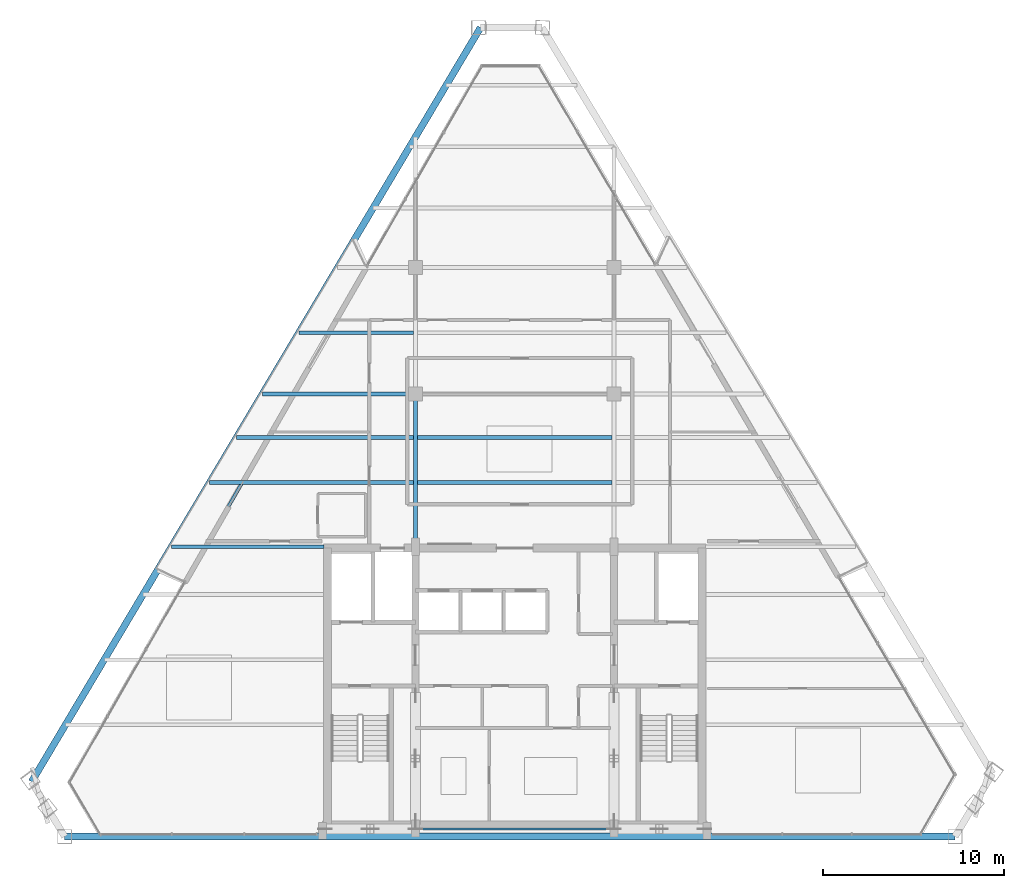
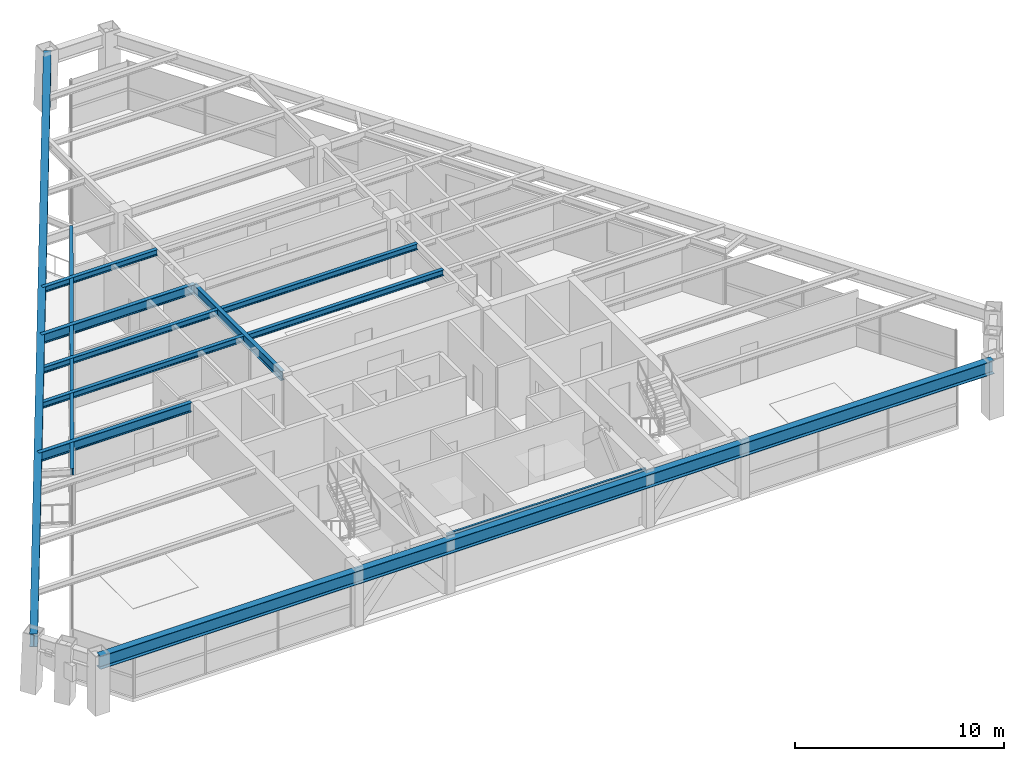
# One storey, part 3 of 13: 12 beams.
"""IFC4 building model written with IfcOpenShell, lengths in metres."""

import ifcopenshell
import ifcopenshell.guid

model = None  # the IFC model being written
_history = None  # IfcOwnerHistory: only IFC2X3 demands one
_inside = {}  # id of a spatial element -> (the spatial element, [elements in it])
_under = {}  # id of a project, library or spatial element -> (it, [spatial elements below it])
_declared = {}  # id of a project -> (the project, [libraries it declares])
_typed = {}  # id of a type object -> (the type object, [elements of that type])
_made_of = {}  # id of a material, layer set ... -> (it, [elements and type objects made of it])


def new_model(schema):
    """Start an empty IFC model of exactly this schema.

    Asked for "IFC4X3", IfcOpenShell would pick the latest addendum, in which some entities
    have other attributes; the version numbers below select the first issue.
    IFC2X3 requires an IfcOwnerHistory on every rooted entity: one is made here for all.
    """
    global model, _history
    if schema == "IFC4X3":
        model = ifcopenshell.file(schema_version=(4, 3, 0, 0))
    else:
        model = ifcopenshell.file(schema=schema)
    _inside.clear()
    _under.clear()
    _declared.clear()
    _typed.clear()
    _made_of.clear()
    _history = None
    if model.schema == "IFC2X3":
        org = make("IfcOrganization", Name="unknown")
        user = make(
            "IfcPersonAndOrganization",
            ThePerson=make("IfcPerson", FamilyName="unknown"),
            TheOrganization=org,
        )
        app = make(
            "IfcApplication",
            ApplicationDeveloper=org,
            Version="unknown",
            ApplicationFullName="unknown",
            ApplicationIdentifier="unknown",
        )
        _history = make(
            "IfcOwnerHistory",
            OwningUser=user,
            OwningApplication=app,
            ChangeAction="ADDED",
            CreationDate=0,
        )
    return model


def make(cls, **values):
    """One entity of the class cls with the attributes given. An attribute that is None is left unset."""
    return model.create_entity(
        cls, **{name: value for name, value in values.items() if value is not None}
    )


def rooted(cls, **values):
    """An entity with a GlobalId (a new one), such as an element, a storey or a relation."""
    return make(cls, GlobalId=ifcopenshell.guid.new(), OwnerHistory=_history, **values)


def si_unit(unit_type, name, prefix=None):
    """IfcSIUnit, for example si_unit("LENGTHUNIT", "METRE", prefix="MILLI")."""
    return make("IfcSIUnit", UnitType=unit_type, Prefix=prefix, Name=name)


def assignment(units):
    """IfcUnitAssignment: the units of a project."""
    return None if units is None else make("IfcUnitAssignment", Units=units)


def point(xyz):
    """IfcCartesianPoint."""
    return None if xyz is None else make("IfcCartesianPoint", Coordinates=xyz)


def direction(xyz):
    """IfcDirection."""
    return None if xyz is None else make("IfcDirection", DirectionRatios=xyz)


def frame(location, z_axis=None, x_axis=None):
    """IfcAxis2Placement3D, a coordinate frame: its origin and axes. An axis left out is left unset."""
    return make(
        "IfcAxis2Placement3D",
        Location=point(location),
        Axis=direction(z_axis),
        RefDirection=direction(x_axis),
    )


def frame_2d(location, x_axis=None):
    """IfcAxis2Placement2D, a coordinate frame in the plane: its origin and x axis."""
    return make(
        "IfcAxis2Placement2D", Location=point(location), RefDirection=direction(x_axis)
    )


def origin():
    """The frame at (0, 0, 0) with its axes left unset."""
    return frame((0.0, 0.0, 0.0))


def origin_2d():
    """The frame at (0, 0) in the plane with its x axis left unset."""
    return frame_2d((0.0, 0.0))


def place(relative_to, where):
    """IfcLocalPlacement: puts the frame where relative to a parent placement (None: the world)."""
    return make(
        "IfcLocalPlacement", PlacementRelTo=relative_to, RelativePlacement=where
    )


def context(
    kind, dimensions, precision=None, world=None, true_north=None, identifier=None
):
    """IfcGeometricRepresentationContext, for example the 3D "Model" context."""
    return make(
        "IfcGeometricRepresentationContext",
        ContextIdentifier=identifier,
        ContextType=kind,
        CoordinateSpaceDimension=dimensions,
        Precision=precision,
        WorldCoordinateSystem=world,
        TrueNorth=true_north,
    )


def subcontext(parent, identifier, kind, view, scale=None):
    """IfcGeometricRepresentationSubContext, for example "Body" below "Model"."""
    return make(
        "IfcGeometricRepresentationSubContext",
        ContextIdentifier=identifier,
        ContextType=kind,
        ParentContext=parent,
        TargetScale=scale,
        TargetView=view,
    )


def project(units=None, contexts=None):
    """IfcProject with its units and contexts."""
    return rooted(
        "IfcProject",
        Name="project",
        RepresentationContexts=contexts,
        UnitsInContext=assignment(units),
    )


def spatial(cls, under=None, at=None, **own):
    """A site, building, storey or space (cls), placed at a placement, below another one or the project."""
    s = rooted(cls, ObjectPlacement=at, **own)
    if under is not None:
        _under.setdefault(under.id(), (under, []))[1].append(s)
    return s


def profile(cls, at=None, kind="AREA", **sizes):
    """A parametric profile (cls). Its sizes go by their IFC names, for example OverallWidth=200.0."""
    return make(cls, ProfileType=kind, Position=at, **sizes)


def i_section(**sizes):
    """IfcIShapeProfileDef."""
    return profile("IfcIShapeProfileDef", **sizes)


def extrude(swept, where, along, depth):
    """IfcExtrudedAreaSolid: the profile swept, set in the frame where, extruded along a direction by depth."""
    return make(
        "IfcExtrudedAreaSolid",
        SweptArea=swept,
        Position=where,
        ExtrudedDirection=direction(along),
        Depth=depth,
    )


def shape(context_of_items, identifier, shape_type, items):
    """IfcShapeRepresentation: the items that make up one representation, for example the "Body"."""
    return make(
        "IfcShapeRepresentation",
        ContextOfItems=context_of_items,
        RepresentationIdentifier=identifier,
        RepresentationType=shape_type,
        Items=items,
    )


def source(mapping_origin, context_of_items, identifier, shape_type, items):
    """IfcRepresentationMap: a shape defined once, which mapped items show again and again."""
    return make(
        "IfcRepresentationMap",
        MappingOrigin=mapping_origin,
        MappedRepresentation=shape(context_of_items, identifier, shape_type, items),
    )


def transform(
    local_origin,
    x_axis=None,
    y_axis=None,
    z_axis=None,
    scale=None,
    scale2=None,
    scale3=None,
    uniform=True,
):
    """IfcCartesianTransformationOperator3D, or its non-uniform kind. x_axis, y_axis, z_axis: its Axis1, 2, 3."""
    if uniform:
        return make(
            "IfcCartesianTransformationOperator3D",
            Axis1=direction(x_axis),
            Axis2=direction(y_axis),
            LocalOrigin=point(local_origin),
            Scale=scale,
            Axis3=direction(z_axis),
        )
    return make(
        "IfcCartesianTransformationOperator3DnonUniform",
        Axis1=direction(x_axis),
        Axis2=direction(y_axis),
        LocalOrigin=point(local_origin),
        Scale=scale,
        Axis3=direction(z_axis),
        Scale2=scale2,
        Scale3=scale3,
    )


def mapped(mapping_source, mapping_target):
    """IfcMappedItem: shows the shape of a source again, moved by a transform."""
    return make(
        "IfcMappedItem", MappingSource=mapping_source, MappingTarget=mapping_target
    )


def material(Name=None, Category=None):
    """IfcMaterial."""
    return make("IfcMaterial", Name=Name, Category=Category)


def material_profile(
    of_material, cross_section, Name=None, Category=None, Priority=None
):
    """IfcMaterialProfile: a cross section and its material."""
    return make(
        "IfcMaterialProfile",
        Name=Name,
        Material=of_material,
        Profile=cross_section,
        Priority=Priority,
        Category=Category,
    )


def profile_set(profiles, Name=None, composite=None):
    """IfcMaterialProfileSet."""
    return make(
        "IfcMaterialProfileSet",
        Name=Name,
        MaterialProfiles=profiles,
        CompositeProfile=composite,
    )


def made_of(thing, what):
    """Note that an element or type object is made of a material, layer set ...; save() writes the relation."""
    if what is not None:
        _made_of.setdefault(what.id(), (what, []))[1].append(thing)
    return thing


def type_object(cls, material=None, **own):
    """A type object (cls), such as IfcWallType, which elements share."""
    return made_of(rooted(cls, **own), material)


def type_shapes(of_type, sources):
    """Give a type object the sources (RepresentationMaps) that its elements show as mapped items."""
    of_type.RepresentationMaps = sources


def element(
    cls,
    number,
    at=None,
    inside=None,
    cuts=None,
    type_object=None,
    material=None,
    context=None,
    identifier="Body",
    shape_type=None,
    held_by="IfcProductDefinitionShape",
    body=None,
    shapes=None,
    **own,
):
    """One element of the class cls, such as IfcWall. Its Tag is "e" and its number.

    at: its placement. inside: the storey or other place that contains it. cuts: it is an
    opening in that element (IfcRelVoidsElement). A single representation is given by context,
    identifier, shape_type and body (its items); several are given by shapes. held_by: the class
    of the entity that holds the representations. save() writes the other relations.
    """
    e = rooted(cls, Tag="e%d" % number, ObjectPlacement=at, **own)
    if body is not None:
        shapes = [shape(context, identifier, shape_type, body)]
    if shapes is not None:
        e.Representation = make(held_by, Representations=shapes)
    if inside is not None:
        _inside.setdefault(inside.id(), (inside, []))[1].append(e)
    if cuts is not None:
        rooted(
            "IfcRelVoidsElement", RelatingBuildingElement=cuts, RelatedOpeningElement=e
        )
    if type_object is not None:
        _typed.setdefault(type_object.id(), (type_object, []))[1].append(e)
    return made_of(e, material)


def aggregate(whole, parts):
    """IfcRelAggregates: a whole, such as a stair, and the parts it consists of."""
    return rooted("IfcRelAggregates", RelatingObject=whole, RelatedObjects=parts)


def save(model, path):
    """Write the relations noted so far, then the file.

    IfcRelAggregates (storeys below a building ...), IfcRelContainedInSpatialStructure (elements
    in a storey), IfcRelDefinesByType, IfcRelAssociatesMaterial and IfcRelDeclares: one each for
    every whole, place, type object, material and project.
    """
    for whole, parts in _under.values():
        aggregate(whole, parts)
    for where, things in _inside.values():
        rooted(
            "IfcRelContainedInSpatialStructure",
            RelatedElements=things,
            RelatingStructure=where,
        )
    for kind, things in _typed.values():
        rooted("IfcRelDefinesByType", RelatedObjects=things, RelatingType=kind)
    for what, things in _made_of.values():
        rooted("IfcRelAssociatesMaterial", RelatedObjects=things, RelatingMaterial=what)
    for by, libraries in _declared.values():
        rooted("IfcRelDeclares", RelatingContext=by, RelatedDefinitions=libraries)
    model.write(path)


model = new_model("IFC4")

# Units and contexts
model_context = context("Model", 3, precision=1e-05, world=origin(), true_north=direction((0.0, 1.0)))
body_context = subcontext(model_context, "Body", "Model", "MODEL_VIEW")
ifc_project = project(units=[si_unit("LENGTHUNIT", "METRE"), si_unit("AREAUNIT", "SQUARE_METRE"), si_unit("VOLUMEUNIT", "CUBIC_METRE"), si_unit("PLANEANGLEUNIT", "RADIAN"), si_unit("MASSUNIT", "GRAM", prefix="KILO")], contexts=[model_context])

# Site, building, storey
site_placement = place(None, origin())
site = spatial("IfcSite", under=ifc_project, at=site_placement, CompositionType="ELEMENT")
building_placement = place(site_placement, origin())
building = spatial("IfcBuilding", under=site, at=building_placement, Name="Varnakhor Terracotta Tower", CompositionType="ELEMENT")
storey_placement = place(building_placement, frame((0.0, 0.0, 283.35009765625)))
storey = spatial("IfcBuildingStorey", under=building, at=storey_placement, Name="L74", CompositionType="ELEMENT", Elevation=283.35009765625)

# Beams
ifc_material = material(Name="Steel S355", Category="steel")
ifc_material_profile_1 = material_profile(ifc_material, i_section(OverallWidth=0.1201171875, OverallDepth=0.239990234375, WebThickness=0.006103515625, FlangeThickness=0.009765625, FilletRadius=0.01806640625, at=origin_2d()), Name="IPE240")
ifc_profile_set_1 = profile_set([ifc_material_profile_1], Name="Steel S355")
beam_type_1 = type_object("IfcBeamType", Name="LNT-IPE240", PredefinedType="LINTEL", material=ifc_profile_set_1)
shared_shape_1 = source(origin(), body_context, "Body", "SweptSolid", [
    extrude(i_section(OverallWidth=0.1201171875, OverallDepth=0.239990234375, WebThickness=0.006103515625, FlangeThickness=0.009765625, FilletRadius=0.01806640625, at=origin_2d()), origin(), (0.0, 0.0, 1.0), 11.0),
])
type_shapes(beam_type_1, [shared_shape_1])
beam_1_placement = place(storey_placement, frame((-5.5, 0.419921875, 3.119873046875), z_axis=(1.0, 0.0, 0.0), x_axis=(0.0, 1.0, 0.0)))
element("IfcBeam", 1, at=beam_1_placement, inside=storey, type_object=beam_type_1, Name="L74 Core South Coupling Lintel", PredefinedType="LINTEL", context=body_context, shape_type="MappedRepresentation", body=[
    mapped(shared_shape_1, transform((0.0, 0.0, 0.0), scale=1.0)),
])
ifc_material_profile_2 = material_profile(ifc_material, i_section(OverallWidth=0.214111328125, OverallDepth=0.549072265625, WebThickness=0.014892578125, FlangeThickness=0.02392578125, FilletRadius=0.01806640625, at=origin_2d()), Name="W21X93")
ifc_profile_set_2 = profile_set([ifc_material_profile_2], Name="Steel S355")
beam_type_2 = type_object("IfcBeamType", Name="BM-W21X93", PredefinedType="BEAM", material=ifc_profile_set_2)
shared_shape_2 = source(origin(), body_context, "Body", "SweptSolid", [
    extrude(i_section(OverallWidth=0.214111328125, OverallDepth=0.549072265625, WebThickness=0.014892578125, FlangeThickness=0.02392578125, FilletRadius=0.01806640625, at=origin_2d()), origin(), (0.0, 0.0, 1.0), 8.449951171875),
])
type_shapes(beam_type_2, [shared_shape_2])
beam_2_placement = place(storey_placement, frame((-5.5, 16.050048828125, 2.96533203125), z_axis=(0.0, 1.0, 0.0), x_axis=(-1.0, 0.0, 0.0)))
element("IfcBeam", 2, at=beam_2_placement, inside=storey, type_object=beam_type_2, Name="L74 Primary Girder NS1-W", PredefinedType="BEAM", context=body_context, shape_type="MappedRepresentation", body=[
    mapped(shared_shape_2, transform((0.0, 0.0, 0.0), scale=1.0)),
])
ifc_material_profile_3 = material_profile(ifc_material, i_section(OverallWidth=0.202880859375, OverallDepth=0.346923828125, WebThickness=0.0078125, FlangeThickness=0.013427734375, FilletRadius=0.01806640625, at=origin_2d()), Name="W14X43")
ifc_profile_set_3 = profile_set([ifc_material_profile_3], Name="Steel S355")
beam_type_3 = type_object("IfcBeamType", Name="JST-W14X43", PredefinedType="JOIST", material=ifc_profile_set_3)
shared_shape_3 = source(origin(), body_context, "Body", "SweptSolid", [
    extrude(i_section(OverallWidth=0.202880859375, OverallDepth=0.346923828125, WebThickness=0.0078125, FlangeThickness=0.013427734375, FilletRadius=0.01806640625, at=origin_2d()), origin(), (0.0, 0.0, 1.0), 10.7939453125),
])
for number, where, z_axis, x_axis, name in (
    (3, (-5.39697265625, 19.60009765625, 3.06640625), (1.0, 0.0, 0.0), (0.0, 1.0, 0.0), "L74 Composite Floor Joist 4-2"),
    (4, (-5.39697265625, 22.10009765625, 3.06640625), (1.0, 0.0, 0.0), (0.0, 1.0, 0.0), "L74 Composite Floor Joist 5-2"),
):
    element("IfcBeam", number, at=place(storey_placement, frame(where, z_axis=z_axis, x_axis=x_axis)), inside=storey, type_object=beam_type_3, Name=name, PredefinedType="JOIST", context=body_context, shape_type="MappedRepresentation", body=[
        mapped(shared_shape_3, transform((0.0, 0.0, 0.0), scale=1.0)),
    ])
ifc_material_profile_4 = material_profile(ifc_material, i_section(OverallWidth=0.381103515625, OverallDepth=0.77294921875, WebThickness=0.01708984375, FlangeThickness=0.027099609375, FilletRadius=0.01806640625, at=origin_2d()), Name="W30X173")
ifc_profile_set_4 = profile_set([ifc_material_profile_4], Name="Steel S355")
beam_type_4 = type_object("IfcBeamType", Name="BM-W30X173", PredefinedType="BEAM", material=ifc_profile_set_4)
shared_shape_4 = source(origin(), body_context, "Body", "SweptSolid", [
    extrude(i_section(OverallWidth=0.381103515625, OverallDepth=0.77294921875, WebThickness=0.01708984375, FlangeThickness=0.027099609375, FilletRadius=0.01806640625, at=origin_2d()), origin(), (0.0, 0.0, 1.0), 49.29296875),
])
beam_3_placement = place(storey_placement, frame((-24.916015625, 0.0, 2.853515625), z_axis=(1.0, 0.0, 0.0), x_axis=(0.0, 1.0, 0.0)))
element("IfcBeam", 5, at=beam_3_placement, inside=storey, type_object=beam_type_4, Name="L74 Perimeter Spandrel 1", PredefinedType="BEAM", context=body_context, shape_type="MappedRepresentation", body=[
    mapped(shared_shape_4, transform((0.0, 0.0, 0.0), scale=1.0)),
])
shared_shape_5 = source(origin(), body_context, "Body", "SweptSolid", [
    extrude(i_section(OverallWidth=0.381103515625, OverallDepth=0.77294921875, WebThickness=0.01708984375, FlangeThickness=0.027099609375, FilletRadius=0.01806640625, at=origin_2d()), origin(), (0.0, 0.0, 1.0), 48.59326171875),
])
beam_4_placement = place(storey_placement, frame((-1.892822265625, 44.791259765625, 2.853515625), z_axis=(-0.511525461538, -0.859268120087, 0.0), x_axis=(0.859268120087, -0.511525461538, 0.0)))
element("IfcBeam", 6, at=beam_4_placement, inside=storey, type_object=beam_type_4, Name="L74 Perimeter Spandrel 6", PredefinedType="BEAM", context=body_context, shape_type="MappedRepresentation", body=[
    mapped(shared_shape_5, transform((0.0, 0.0, 0.0), scale=1.0)),
])
ifc_material_profile_5 = material_profile(ifc_material, i_section(OverallWidth=0.179931640625, OverallDepth=0.39990234375, WebThickness=0.008544921875, FlangeThickness=0.013427734375, FilletRadius=0.01806640625, at=origin_2d()), Name="IPE400")
ifc_profile_set_5 = profile_set([ifc_material_profile_5], Name="Steel S355")
beam_type_5 = type_object("IfcBeamType", Name="JST-IPE400", PredefinedType="JOIST", material=ifc_profile_set_5)
shared_shape_6 = source(origin(), body_context, "Body", "SweptSolid", [
    extrude(i_section(OverallWidth=0.179931640625, OverallDepth=0.39990234375, WebThickness=0.008544921875, FlangeThickness=0.013427734375, FilletRadius=0.01806640625, at=origin_2d()), origin(), (0.0, 0.0, 1.0), 20.23681640625),
])
beam_5_placement = place(storey_placement, frame((-8.181396484375, 31.605712890625, 3.039794921875), z_axis=(-0.49852892251, -0.866873066499, 0.0), x_axis=(0.866873066499, -0.49852892251, 0.0)))
element("IfcBeam", 7, at=beam_5_placement, inside=storey, type_object=beam_type_5, Name="L74 Loggia Edge Beam 2", PredefinedType="JOIST", context=body_context, shape_type="MappedRepresentation", body=[
    mapped(shared_shape_6, transform((0.0, 0.0, 0.0), scale=1.0)),
])
shared_shape_7 = source(origin(), body_context, "Body", "SweptSolid", [
    extrude(i_section(OverallWidth=0.214111328125, OverallDepth=0.549072265625, WebThickness=0.014892578125, FlangeThickness=0.02392578125, FilletRadius=0.01806640625, at=origin_2d()), origin(), (0.0, 0.0, 1.0), 8.452392578125),
])
beam_6_placement = place(storey_placement, frame((-19.00244140625, 16.050048828125, 2.96533203125), z_axis=(1.0, 0.0, 0.0), x_axis=(0.0, 1.0, 0.0)))
element("IfcBeam", 8, at=beam_6_placement, inside=storey, type_object=beam_type_2, Name="L74 Wing Girder W", PredefinedType="BEAM", context=body_context, shape_type="MappedRepresentation", body=[
    mapped(shared_shape_7, transform((0.0, 0.0, 0.0), scale=1.0)),
])
shared_shape_8 = source(origin(), body_context, "Body", "SweptSolid", [
    extrude(i_section(OverallWidth=0.214111328125, OverallDepth=0.549072265625, WebThickness=0.014892578125, FlangeThickness=0.02392578125, FilletRadius=0.01806640625, at=origin_2d()), origin(), (0.0, 0.0, 1.0), 8.472412109375),
])
beam_7_placement = place(storey_placement, frame((-13.972412109375, 24.5, 2.96533203125), z_axis=(1.0, 0.0, 0.0), x_axis=(0.0, 1.0, 0.0)))
element("IfcBeam", 9, at=beam_7_placement, inside=storey, type_object=beam_type_2, Name="L74 Primary Girder EW2-1", PredefinedType="BEAM", context=body_context, shape_type="MappedRepresentation", body=[
    mapped(shared_shape_8, transform((0.0, 0.0, 0.0), scale=1.0)),
])
shared_shape_9 = source(origin(), body_context, "Body", "SweptSolid", [
    extrude(i_section(OverallWidth=0.202880859375, OverallDepth=0.346923828125, WebThickness=0.0078125, FlangeThickness=0.013427734375, FilletRadius=0.01806640625, at=origin_2d()), origin(), (0.0, 0.0, 1.0), 11.2861328125),
])
beam_8_placement = place(storey_placement, frame((-16.88916015625, 19.60009765625, 3.06640625), z_axis=(1.0, 0.0, 0.0), x_axis=(0.0, 1.0, 0.0)))
element("IfcBeam", 10, at=beam_8_placement, inside=storey, type_object=beam_type_3, Name="L74 Composite Floor Joist 4-1", PredefinedType="JOIST", context=body_context, shape_type="MappedRepresentation", body=[
    mapped(shared_shape_9, transform((0.0, 0.0, 0.0), scale=1.0)),
])
shared_shape_10 = source(origin(), body_context, "Body", "SweptSolid", [
    extrude(i_section(OverallWidth=0.202880859375, OverallDepth=0.346923828125, WebThickness=0.0078125, FlangeThickness=0.013427734375, FilletRadius=0.01806640625, at=origin_2d()), origin(), (0.0, 0.0, 1.0), 9.7978515625),
])
beam_9_placement = place(storey_placement, frame((-15.40087890625, 22.10009765625, 3.06640625), z_axis=(1.0, 0.0, 0.0), x_axis=(0.0, 1.0, 0.0)))
element("IfcBeam", 11, at=beam_9_placement, inside=storey, type_object=beam_type_3, Name="L74 Composite Floor Joist 5-1", PredefinedType="JOIST", context=body_context, shape_type="MappedRepresentation", body=[
    mapped(shared_shape_10, transform((0.0, 0.0, 0.0), scale=1.0)),
])
shared_shape_11 = source(origin(), body_context, "Body", "SweptSolid", [
    extrude(i_section(OverallWidth=0.202880859375, OverallDepth=0.346923828125, WebThickness=0.0078125, FlangeThickness=0.013427734375, FilletRadius=0.01806640625, at=origin_2d()), origin(), (0.0, 0.0, 1.0), 6.34521484375),
])
beam_10_placement = place(storey_placement, frame((-11.9482421875, 27.89990234375, 3.06640625), z_axis=(1.0, 0.0, 0.0), x_axis=(0.0, 1.0, 0.0)))
element("IfcBeam", 12, at=beam_10_placement, inside=storey, type_object=beam_type_3, Name="L74 Composite Floor Joist 6-1", PredefinedType="JOIST", context=body_context, shape_type="MappedRepresentation", body=[
    mapped(shared_shape_11, transform((0.0, 0.0, 0.0), scale=1.0)),
])

save(model, "model.ifc")
